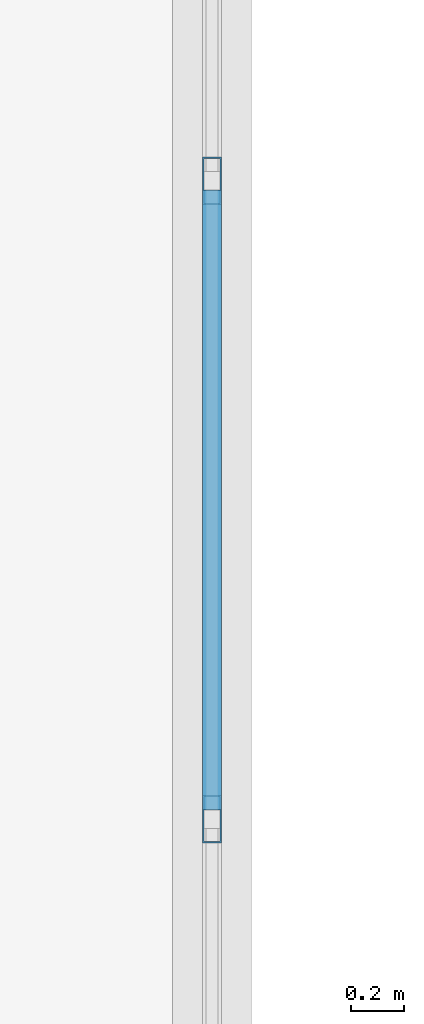
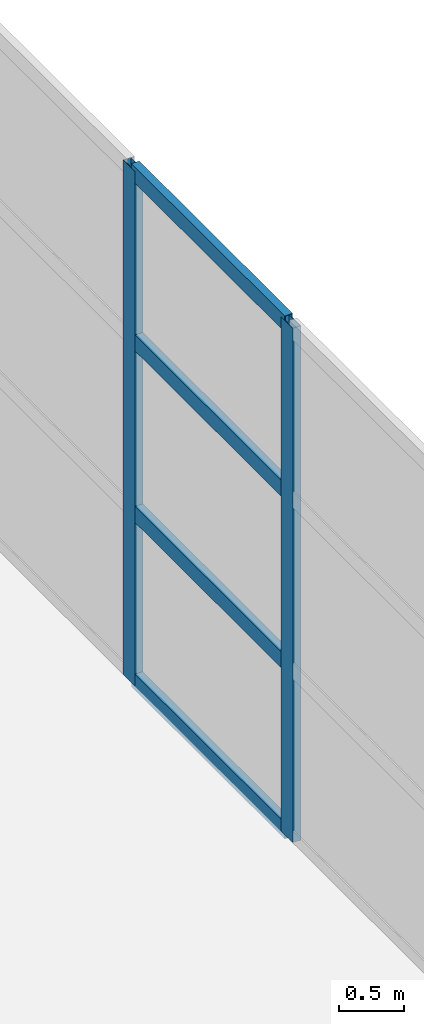
# One storey, part 54 of 147: 6 members, 1 element without a shape of its own.
"""IFC4 building model written with IfcOpenShell, lengths in metres."""

from ifc_helpers import new_model, si_unit, direction, frame, origin, origin_2d, place, context, subcontext, project, spatial, hollow_rectangle, extrude, material, layer, layer_set, material_profile, profile_set, type_object, element, aggregate, save


model = new_model("IFC4")

# Units and contexts
model_context = context("Model", 3, precision=1e-05, world=origin(), true_north=direction((0.0, 1.0)))
body_context = subcontext(model_context, "Body", "Model", "MODEL_VIEW")
ifc_project = project(units=[si_unit("LENGTHUNIT", "METRE"), si_unit("AREAUNIT", "SQUARE_METRE"), si_unit("VOLUMEUNIT", "CUBIC_METRE"), si_unit("PLANEANGLEUNIT", "RADIAN"), si_unit("MASSUNIT", "GRAM", prefix="KILO")], contexts=[model_context])

# Site, building, storey
site_placement = place(None, origin())
site = spatial("IfcSite", under=ifc_project, at=site_placement, CompositionType="ELEMENT")
building_placement = place(site_placement, origin())
building = spatial("IfcBuilding", under=site, at=building_placement, Name="Zilviju Railside Exhibition Hall", CompositionType="ELEMENT")
storey_placement = place(building_placement, frame((0.0, 0.0, 8.39990234375)))
storey = spatial("IfcBuildingStorey", under=building, at=storey_placement, Name="L03", CompositionType="ELEMENT", Elevation=8.39990234375)

# Curtain wall, members
ifc_material_1 = material(Name="Thermally broken aluminium-steel triple-glazed curtain wall", Category="steel")
ifc_layer = layer(ifc_material_1, 0.179931640625)
ifc_layer_set = layer_set([ifc_layer], Name="Thermally broken aluminium-steel triple-glazed curtain wall")
curtain_wall_type = type_object("IfcCurtainWallType", Name="CW-BAY-01", PredefinedType="USERDEFINED", material=ifc_layer_set)
curtain_wall_placement = place(storey_placement, origin())
curtain_wall = element("IfcCurtainWall", 1, at=curtain_wall_placement, inside=storey, type_object=curtain_wall_type, Name="South Hall West Upper Glazed Gable (36..54)", ObjectType="GLAZED CURTAIN WALL", PredefinedType="USERDEFINED")
ifc_material_2 = material(Name="Thermally broken anodized aluminium mullion", Category="aluminium")
ifc_material_profile_1 = material_profile(ifc_material_2, hollow_rectangle(XDim=0.070068359375, YDim=0.179931640625, WallThickness=0.0048828125, at=origin_2d()), Name="MULLION 180x70x5")
ifc_profile_set_1 = profile_set([ifc_material_profile_1], Name="Thermally broken anodized aluminium mullion")
member_type_1 = type_object("IfcMemberType", Name="CWM-70x180", PredefinedType="MULLION", material=ifc_profile_set_1)
member_1_placement = place(storey_placement, frame((78.0, 41.378662109375, 0.0), z_axis=(0.0, 0.0, 1.0), x_axis=(-1.0, 0.0, 0.0)))
member_1 = element("IfcMember", 2, at=member_1_placement, type_object=member_type_1, Name="CW-01 mullion 3", PredefinedType="MULLION", context=body_context, shape_type="SweptSolid", body=[
    extrude(hollow_rectangle(XDim=0.070068359375, YDim=0.179931640625, WallThickness=0.0048828125, at=origin_2d()), origin(), (0.0, 0.0, 1.0), 4.800048828125),
])
member_2_placement = place(storey_placement, frame((78.0, 43.79296875, 0.0), z_axis=(0.0, 0.0, 1.0), x_axis=(-1.0, 0.0, 0.0)))
member_2 = element("IfcMember", 3, at=member_2_placement, type_object=member_type_1, Name="CW-01 mullion 4", PredefinedType="MULLION", context=body_context, shape_type="SweptSolid", body=[
    extrude(hollow_rectangle(XDim=0.070068359375, YDim=0.179931640625, WallThickness=0.0048828125, at=origin_2d()), origin(), (0.0, 0.0, 1.0), 4.800048828125),
])
ifc_material_3 = material(Name="Thermally broken anodized aluminium transom", Category="aluminium")
ifc_material_profile_2 = material_profile(ifc_material_3, hollow_rectangle(XDim=0.070068359375, YDim=0.14990234375, WallThickness=0.0048828125, at=origin_2d()), Name="TRANSOM 150x70x5")
ifc_profile_set_2 = profile_set([ifc_material_profile_2], Name="Thermally broken anodized aluminium transom")
member_type_2 = type_object("IfcMemberType", Name="CWT-70x150", PredefinedType="USERDEFINED", material=ifc_profile_set_2)
member_3_placement = place(storey_placement, frame((78.0, 41.41357421875, 0.03515625), z_axis=(0.0, 1.0, 0.0), x_axis=(-1.0, 0.0, 0.0)))
member_3 = element("IfcMember", 4, at=member_3_placement, type_object=member_type_2, Name="CW-01 transom 3.1", ObjectType="TRANSOM", PredefinedType="USERDEFINED", context=body_context, shape_type="SweptSolid", body=[
    extrude(hollow_rectangle(XDim=0.070068359375, YDim=0.14990234375, WallThickness=0.0048828125, at=origin_2d()), origin(), (0.0, 0.0, 1.0), 2.34423828125),
])
member_4_placement = place(storey_placement, frame((78.0, 41.41357421875, 1.60009765625), z_axis=(0.0, 1.0, 0.0), x_axis=(-1.0, 0.0, 0.0)))
member_4 = element("IfcMember", 5, at=member_4_placement, type_object=member_type_2, Name="CW-01 transom 3.2", ObjectType="TRANSOM", PredefinedType="USERDEFINED", context=body_context, shape_type="SweptSolid", body=[
    extrude(hollow_rectangle(XDim=0.070068359375, YDim=0.14990234375, WallThickness=0.0048828125, at=origin_2d()), origin(), (0.0, 0.0, 1.0), 2.34423828125),
])
member_5_placement = place(storey_placement, frame((78.0, 41.41357421875, 3.2001953125), z_axis=(0.0, 1.0, 0.0), x_axis=(-1.0, 0.0, 0.0)))
member_5 = element("IfcMember", 6, at=member_5_placement, type_object=member_type_2, Name="CW-01 transom 3.3", ObjectType="TRANSOM", PredefinedType="USERDEFINED", context=body_context, shape_type="SweptSolid", body=[
    extrude(hollow_rectangle(XDim=0.070068359375, YDim=0.14990234375, WallThickness=0.0048828125, at=origin_2d()), origin(), (0.0, 0.0, 1.0), 2.34423828125),
])
member_6_placement = place(storey_placement, frame((78.0, 41.41357421875, 4.76513671875), z_axis=(0.0, 1.0, 0.0), x_axis=(-1.0, 0.0, 0.0)))
member_6 = element("IfcMember", 7, at=member_6_placement, type_object=member_type_2, Name="CW-01 transom 3.4", ObjectType="TRANSOM", PredefinedType="USERDEFINED", context=body_context, shape_type="SweptSolid", body=[
    extrude(hollow_rectangle(XDim=0.070068359375, YDim=0.14990234375, WallThickness=0.0048828125, at=origin_2d()), origin(), (0.0, 0.0, 1.0), 2.34423828125),
])
aggregate(curtain_wall, [member_1, member_2, member_3, member_4, member_5, member_6])

save(model, "model.ifc")
